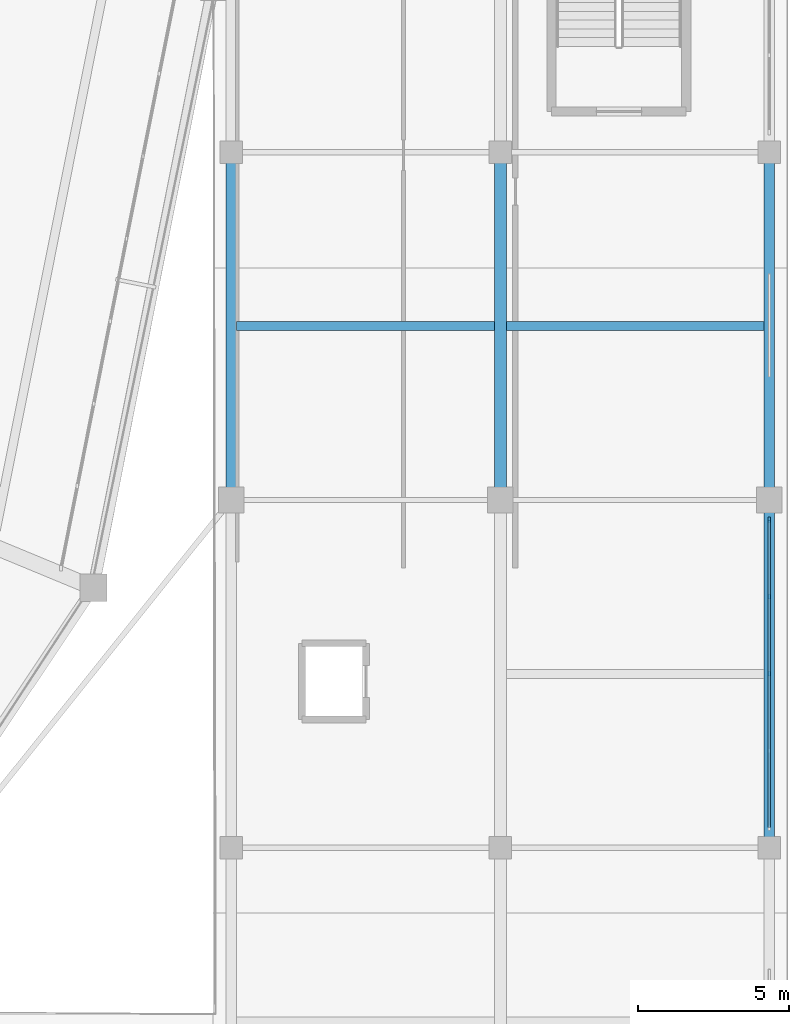
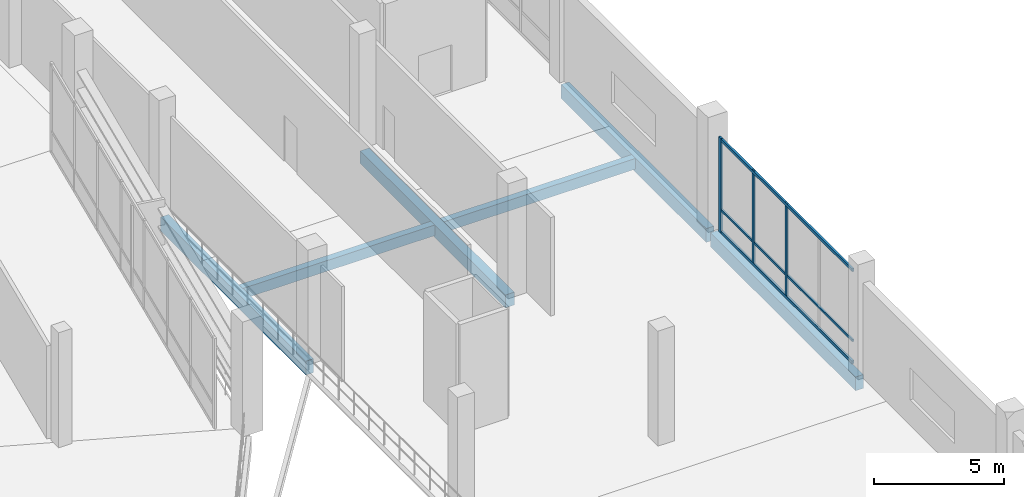
# One storey, part 40 of 114: 6 beams, 6 members, 1 element without a shape of its own.
"""IFC4 building model written with IfcOpenShell, lengths in metres."""

from ifc_helpers import new_model, si_unit, direction, frame, origin, origin_2d, place, context, subcontext, project, spatial, rectangle, extrude, material, material_profile, profile_set, type_object, element, aggregate, save


model = new_model("IFC4")

# Units and contexts
model_context = context("Model", 3, precision=1e-05, world=origin(), true_north=direction((0.0, 1.0)))
body_context = subcontext(model_context, "Body", "Model", "MODEL_VIEW")
ifc_project = project(units=[si_unit("LENGTHUNIT", "METRE"), si_unit("AREAUNIT", "SQUARE_METRE"), si_unit("VOLUMEUNIT", "CUBIC_METRE"), si_unit("PLANEANGLEUNIT", "RADIAN"), si_unit("MASSUNIT", "GRAM", prefix="KILO")], contexts=[model_context])

# Site, building, storey
site_placement = place(None, origin())
site = spatial("IfcSite", under=ifc_project, at=site_placement, CompositionType="ELEMENT")
building_placement = place(site_placement, origin())
building = spatial("IfcBuilding", under=site, at=building_placement, Name="Candeia Ridge Stadium", CompositionType="ELEMENT")
storey_placement = place(building_placement, frame((0.0, 0.0, 5.39990234375)))
storey = spatial("IfcBuildingStorey", under=building, at=storey_placement, Name="L01", CompositionType="ELEMENT", Elevation=5.39990234375)

# Curtain wall, members
ifc_material_1 = material(Name="Aluminium Anodized Warm Bronze", Category="aluminium")
curtain_wall_type = type_object("IfcCurtainWallType", Name="Cardinal Entrance Gate Tall Glazed Curtain Wall", PredefinedType="NOTDEFINED", material=ifc_material_1)
curtain_wall_placement = place(storey_placement, origin())
curtain_wall = element("IfcCurtainWall", 1, at=curtain_wall_placement, inside=storey, type_object=curtain_wall_type, Name="Unitised curtain wall CW-WNG-L01-101", PredefinedType="NOTDEFINED")
ifc_material_profile_1 = material_profile(ifc_material_1, rectangle(XDim=0.090087890625, YDim=0.179931640625, at=origin_2d()), Name="CWM-90x180", Category="aluminium")
ifc_profile_set_1 = profile_set([ifc_material_profile_1], Name="Aluminium Anodized Warm Bronze")
member_type_1 = type_object("IfcMemberType", Name="Curtain Wall Primary Mullion 90x180", PredefinedType="MULLION", material=ifc_profile_set_1)
member_1_placement = place(storey_placement, frame((211.39990234375, 53.340087890625, 0.0), z_axis=(0.0, 0.0, 1.0), x_axis=(1.0, 0.0, 0.0)))
member_1 = element("IfcMember", 2, at=member_1_placement, type_object=member_type_1, Name="Curtain wall mullion CW-WNG-L01-101-M4", PredefinedType="MULLION", context=body_context, shape_type="SweptSolid", body=[
    extrude(rectangle(XDim=0.090087890625, YDim=0.179931640625, at=origin_2d()), origin(), (0.0, 0.0, 1.0), 4.47509765625),
])
ifc_material_profile_2 = material_profile(ifc_material_1, rectangle(XDim=0.074951171875, YDim=0.14990234375, at=origin_2d()), Name="CWM-75x150", Category="aluminium")
ifc_profile_set_2 = profile_set([ifc_material_profile_2], Name="Aluminium Anodized Warm Bronze")
member_type_2 = type_object("IfcMemberType", Name="Curtain Wall Secondary Mullion 75x150", PredefinedType="MULLION", material=ifc_profile_set_2)
member_2_placement = place(storey_placement, frame((211.39990234375, 48.25, 0.0), z_axis=(0.0, 0.0, 1.0), x_axis=(1.0, 0.0, 0.0)))
member_2 = element("IfcMember", 3, at=member_2_placement, type_object=member_type_2, Name="Curtain wall mullion CW-WNG-L01-101-M2", PredefinedType="MULLION", context=body_context, shape_type="SweptSolid", body=[
    extrude(rectangle(XDim=0.074951171875, YDim=0.14990234375, at=origin_2d()), origin(), (0.0, 0.0, 1.0), 4.47509765625),
])
member_3_placement = place(storey_placement, frame((211.39990234375, 50.794921875, 0.0), z_axis=(0.0, 0.0, 1.0), x_axis=(1.0, 0.0, 0.0)))
member_3 = element("IfcMember", 4, at=member_3_placement, type_object=member_type_2, Name="Curtain wall mullion CW-WNG-L01-101-M3", PredefinedType="MULLION", context=body_context, shape_type="SweptSolid", body=[
    extrude(rectangle(XDim=0.074951171875, YDim=0.14990234375, at=origin_2d()), origin(), (0.0, 0.0, 1.0), 4.47509765625),
])
ifc_material_profile_3 = material_profile(ifc_material_1, rectangle(XDim=0.074951171875, YDim=0.110107421875, at=origin_2d()), Name="CWT-75x110", Category="aluminium")
ifc_profile_set_3 = profile_set([ifc_material_profile_3], Name="Aluminium Anodized Warm Bronze")
member_type_3 = type_object("IfcMemberType", Name="Curtain Wall Secondary Transom 75x110", PredefinedType="USERDEFINED", material=ifc_profile_set_3)
member_4_placement = place(storey_placement, frame((211.39990234375, 43.159912109375, 1.10009765625), z_axis=(0.0, 1.0, 0.0), x_axis=(-1.0, 0.0, 0.0)))
member_4 = element("IfcMember", 5, at=member_4_placement, type_object=member_type_3, Name="Curtain wall transom CW-WNG-L01-101-T1", ObjectType="TRANSOM", PredefinedType="USERDEFINED", context=body_context, shape_type="SweptSolid", body=[
    extrude(rectangle(XDim=0.074951171875, YDim=0.110107421875, at=origin_2d()), origin(), (0.0, 0.0, 1.0), 10.18017578125),
])
ifc_material_profile_4 = material_profile(ifc_material_1, rectangle(XDim=0.090087890625, YDim=0.139892578125, at=origin_2d()), Name="CWT-90x140", Category="aluminium")
ifc_profile_set_4 = profile_set([ifc_material_profile_4], Name="Aluminium Anodized Warm Bronze")
member_type_4 = type_object("IfcMemberType", Name="Curtain Wall Transom 90x140", PredefinedType="USERDEFINED", material=ifc_profile_set_4)
member_5_placement = place(storey_placement, frame((211.39990234375, 43.159912109375, 0.070068359375), z_axis=(0.0, 1.0, 0.0), x_axis=(-1.0, 0.0, 0.0)))
member_5 = element("IfcMember", 6, at=member_5_placement, type_object=member_type_4, Name="Curtain wall transom CW-WNG-L01-101-T0", ObjectType="TRANSOM", PredefinedType="USERDEFINED", context=body_context, shape_type="SweptSolid", body=[
    extrude(rectangle(XDim=0.090087890625, YDim=0.139892578125, at=origin_2d()), origin(), (0.0, 0.0, 1.0), 10.18017578125),
])
member_6_placement = place(storey_placement, frame((211.39990234375, 43.159912109375, 4.405029296875), z_axis=(0.0, 1.0, 0.0), x_axis=(-1.0, 0.0, 0.0)))
member_6 = element("IfcMember", 7, at=member_6_placement, type_object=member_type_4, Name="Curtain wall transom CW-WNG-L01-101-T2", ObjectType="TRANSOM", PredefinedType="USERDEFINED", context=body_context, shape_type="SweptSolid", body=[
    extrude(rectangle(XDim=0.090087890625, YDim=0.139892578125, at=origin_2d()), origin(), (0.0, 0.0, 1.0), 10.18017578125),
])
aggregate(curtain_wall, [member_2, member_3, member_1, member_5, member_4, member_6])

# Beams
ifc_material_2 = material(Name="Concrete C40/50", Category="concrete")
ifc_material_profile_5 = material_profile(ifc_material_2, rectangle(XDim=0.300048828125, YDim=0.5, at=origin_2d()), Name="RC300x500", Category="concrete")
ifc_profile_set_5 = profile_set([ifc_material_profile_5], Name="Concrete C40/50")
beam_type_1 = type_object("IfcBeamType", Name="Floor Joist RC300x500", PredefinedType="JOIST", material=ifc_profile_set_5)
for number, where, z_axis, x_axis, name in (
    (8, (193.7744140625, 59.75, -0.510009765625), (1.0, 0.0, 0.0), (0.0, 1.0, 0.0), "Wing secondary joist BM-L01-1491"),
    (9, (202.699462890625, 59.75, -0.510009765625), (1.0, 0.0, 0.0), (0.0, 1.0, 0.0), "Wing secondary joist BM-L01-1513"),
):
    element("IfcBeam", number, at=place(storey_placement, frame(where, z_axis=z_axis, x_axis=x_axis)), inside=storey, type_object=beam_type_1, Name=name, PredefinedType="JOIST", context=body_context, shape_type="SweptSolid", body=[
        extrude(rectangle(XDim=0.300048828125, YDim=0.5, at=origin_2d()), origin(), (0.0, 0.0, 1.0), 8.526123046875),
    ])
ifc_material_profile_6 = material_profile(ifc_material_2, rectangle(XDim=0.39990234375, YDim=0.60009765625, at=origin_2d()), Name="RC400x600", Category="concrete")
ifc_profile_set_6 = profile_set([ifc_material_profile_6], Name="Concrete C40/50")
beam_type_2 = type_object("IfcBeamType", Name="Frame Girder RC400x600", PredefinedType="BEAM", material=ifc_profile_set_6)
beam_placement = place(storey_placement, frame((202.5, 54.159912109375, -0.559814453125), z_axis=(0.0, 1.0, 0.0), x_axis=(-1.0, 0.0, 0.0)))
element("IfcBeam", 10, at=beam_placement, inside=storey, type_object=beam_type_2, Name="Structural girder BM-L01-1466", PredefinedType="BEAM", context=body_context, shape_type="SweptSolid", body=[
    extrude(rectangle(XDim=0.39990234375, YDim=0.60009765625, at=origin_2d()), origin(), (0.0, 0.0, 1.0), 11.18017578125),
])
ifc_material_profile_7 = material_profile(ifc_material_2, rectangle(XDim=0.35009765625, YDim=0.64990234375, at=origin_2d()), Name="RC350x650", Category="concrete")
ifc_profile_set_7 = profile_set([ifc_material_profile_7], Name="Concrete C40/50")
beam_type_3 = type_object("IfcBeamType", Name="Spandrel Beam RC350x650", PredefinedType="SPANDREL", material=ifc_profile_set_7)
for number, where, z_axis, x_axis, name in (
    (11, (193.60009765625, 54.159912109375, -0.5849609375), (0.0, 1.0, 0.0), (-1.0, 0.0, 0.0), "Structural girder BM-L01-1455"),
    (12, (211.39990234375, 42.659912109375, -0.5849609375), (0.0, 1.0, 0.0), (-1.0, 0.0, 0.0), "Structural girder BM-L01-1476"),
    (13, (211.39990234375, 54.159912109375, -0.5849609375), (0.0, 1.0, 0.0), (-1.0, 0.0, 0.0), "Structural girder BM-L01-1477"),
):
    element("IfcBeam", number, at=place(storey_placement, frame(where, z_axis=z_axis, x_axis=x_axis)), inside=storey, type_object=beam_type_3, Name=name, PredefinedType="SPANDREL", context=body_context, shape_type="SweptSolid", body=[
        extrude(rectangle(XDim=0.35009765625, YDim=0.64990234375, at=origin_2d()), origin(), (0.0, 0.0, 1.0), 11.18017578125),
    ])

save(model, "model.ifc")
